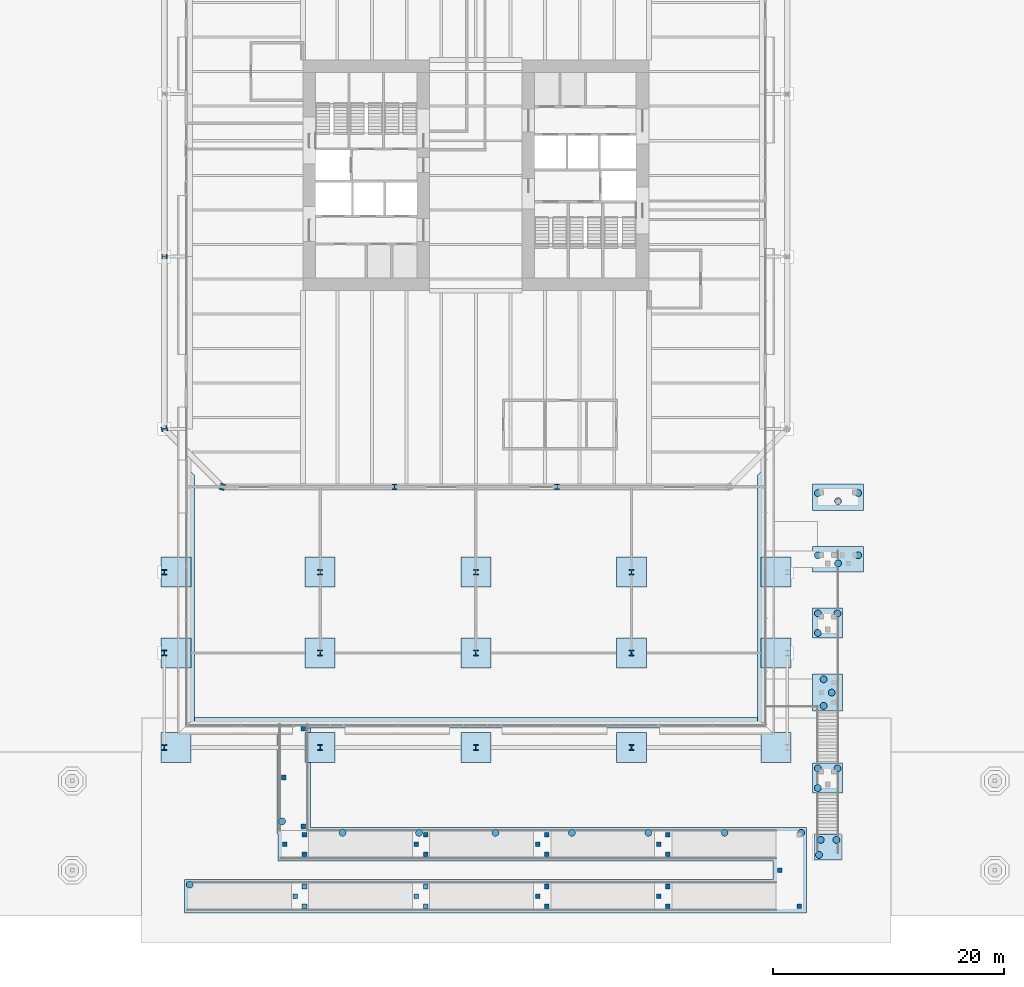
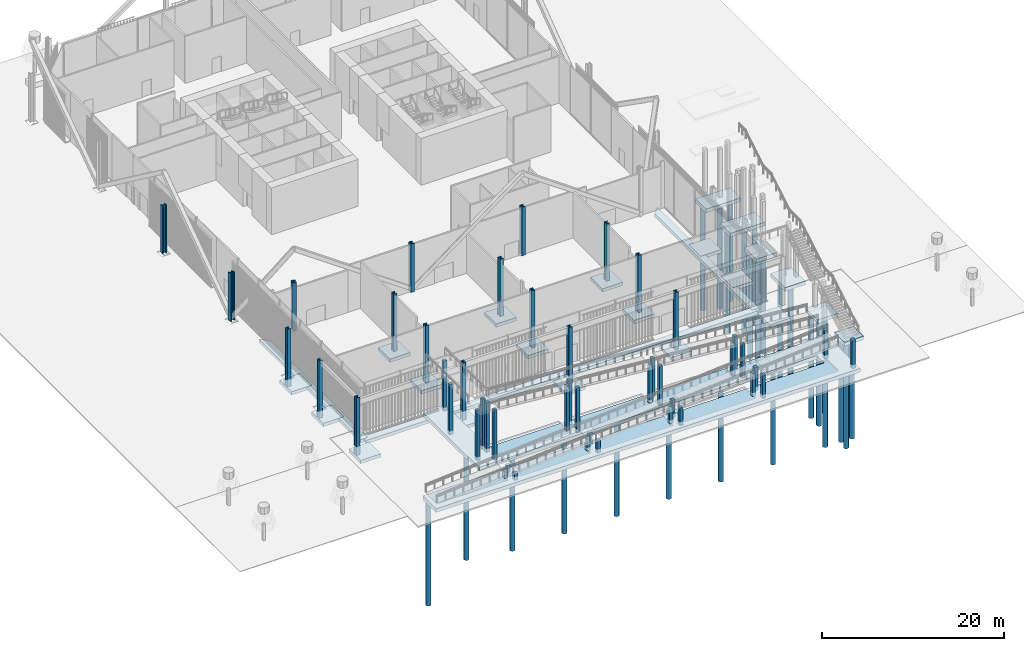
# One storey, part 1 of 28: 46 columns, 27 piles, 25 footings.
"""IFC4 building model written with IfcOpenShell, lengths in metres."""

from ifc_helpers import new_model, si_unit, direction, frame, origin, origin_2d, place, context, subcontext, project, spatial, polyline, rectangle, circle, i_section, outline, extrude, material, layer, layer_set, material_profile, profile_set, type_object, element, save


model = new_model("IFC4")

# Units and contexts
model_context = context("Model", 3, precision=1e-05, world=origin(), true_north=direction((0.0, 1.0)))
body_context = subcontext(model_context, "Body", "Model", "MODEL_VIEW")
ifc_project = project(units=[si_unit("LENGTHUNIT", "METRE"), si_unit("AREAUNIT", "SQUARE_METRE"), si_unit("VOLUMEUNIT", "CUBIC_METRE"), si_unit("PLANEANGLEUNIT", "RADIAN"), si_unit("MASSUNIT", "GRAM", prefix="KILO")], contexts=[model_context])

# Site, building, storey
site_placement = place(None, origin())
site = spatial("IfcSite", under=ifc_project, at=site_placement, CompositionType="ELEMENT")
building_placement = place(site_placement, origin())
building = spatial("IfcBuilding", under=site, at=building_placement, Name="Millrace Tower", CompositionType="ELEMENT")
storey_placement = place(building_placement, origin())
storey = spatial("IfcBuildingStorey", under=building, at=storey_placement, Name="L01", CompositionType="ELEMENT", Elevation=0.0)

# Piles
ifc_material_1 = material(Name="Concrete C45", Category="concrete")
ifc_material_profile_1 = material_profile(ifc_material_1, circle(Radius=0.300048828125, at=origin_2d()))
ifc_profile_set_1 = profile_set([ifc_material_profile_1], Name="Concrete C45")
pile_type = type_object("IfcPileType", Name="Bored pile 600", PredefinedType="BORED", material=ifc_profile_set_1)
for number, where, z_axis, x_axis, name in (
    (1, (-24.800048828125, -61.5, -1.0), (0.0, 0.0, -1.0), (1.0, 0.0, 0.0), "Site bored pile RAMP-1 1"),
    (2, (-16.800048828125, -56.0, -1.0), (0.0, 0.0, -1.0), (1.0, 0.0, 0.0), "Site bored pile RAMP-1 2"),
    (3, (-11.550048828125, -57.0, -1.0), (0.0, 0.0, -1.0), (1.0, 0.0, 0.0), "Site bored pile RAMP-1 3"),
    (4, (-4.925048828125, -57.0, -1.0), (0.0, 0.0, -1.0), (1.0, 0.0, 0.0), "Site bored pile RAMP-1 4"),
    (5, (1.699951171875, -57.0, -1.0), (0.0, 0.0, -1.0), (1.0, 0.0, 0.0), "Site bored pile RAMP-1 5"),
    (6, (8.324951171875, -57.0, -1.0), (0.0, 0.0, -1.0), (1.0, 0.0, 0.0), "Site bored pile RAMP-1 6"),
    (7, (14.949951171875, -57.0, -1.0), (0.0, 0.0, -1.0), (1.0, 0.0, 0.0), "Site bored pile RAMP-1 7"),
    (8, (21.574951171875, -57.0, -1.0), (0.0, 0.0, -1.0), (1.0, 0.0, 0.0), "Site bored pile RAMP-1 8"),
    (9, (28.199951171875, -57.0, -1.0), (0.0, 0.0, -1.0), (1.0, 0.0, 0.0), "Site bored pile RAMP-1 9"),
    (10, (29.75, -58.909912109375, -0.5400390625), (0.0, 0.0, -1.0), (1.0, 0.0, 0.0), "Site bored pile STAIR-FOOT-A 1"),
    (11, (29.89990234375, -57.610107421875, -0.5400390625), (0.0, 0.0, -1.0), (1.0, 0.0, 0.0), "Site bored pile STAIR-FOOT-A 2"),
    (12, (31.25, -57.610107421875, -0.5400390625), (0.0, 0.0, -1.0), (1.0, 0.0, 0.0), "Site bored pile STAIR-FOOT-A 3"),
    (13, (29.64990234375, -53.110107421875, -1.0), (0.0, 0.0, -1.0), (1.0, 0.0, 0.0), "Site bored pile STAIR-1 1"),
    (14, (29.64990234375, -51.409912109375, -1.0), (0.0, 0.0, -1.0), (1.0, 0.0, 0.0), "Site bored pile STAIR-1 2"),
    (15, (31.35009765625, -51.409912109375, -1.0), (0.0, 0.0, -1.0), (1.0, 0.0, 0.0), "Site bored pile STAIR-1 3"),
    (16, (30.14990234375, -45.989990234375, -1.0), (0.0, 0.0, -1.0), (1.0, 0.0, 0.0), "Site bored pile STAIR-2 1"),
    (17, (30.85009765625, -44.840087890625, -1.0), (0.0, 0.0, -1.0), (1.0, 0.0, 0.0), "Site bored pile STAIR-2 2"),
    (18, (30.14990234375, -43.68994140625, -1.0), (0.0, 0.0, -1.0), (1.0, 0.0, 0.0), "Site bored pile STAIR-2 3"),
    (19, (29.64990234375, -39.669921875, -1.0), (0.0, 0.0, -1.0), (1.0, 0.0, 0.0), "Site bored pile STAIR-3 1"),
    (20, (29.64990234375, -37.969970703125, -1.0), (0.0, 0.0, -1.0), (1.0, 0.0, 0.0), "Site bored pile STAIR-3 2"),
    (21, (31.35009765625, -37.969970703125, -1.0), (0.0, 0.0, -1.0), (1.0, 0.0, 0.0), "Site bored pile STAIR-3 3"),
    (22, (29.64990234375, -32.929931640625, -1.0), (0.0, 0.0, -1.0), (1.0, 0.0, 0.0), "Site bored pile STAIR-4 1"),
    (23, (31.39990234375, -33.6298828125, -1.0), (0.0, 0.0, -1.0), (1.0, 0.0, 0.0), "Site bored pile STAIR-4 2"),
    (24, (33.14990234375, -32.929931640625, -1.0), (0.0, 0.0, -1.0), (1.0, 0.0, 0.0), "Site bored pile STAIR-4 3"),
    (25, (29.64990234375, -27.5400390625, -1.0), (0.0, 0.0, -1.0), (1.0, 0.0, 0.0), "Site bored pile STAIR-5 1"),
    (26, (31.39990234375, -28.239990234375, -1.0), (0.0, 0.0, -1.0), (1.0, 0.0, 0.0), "Site bored pile STAIR-5 2"),
    (27, (33.14990234375, -27.5400390625, -1.0), (0.0, 0.0, -1.0), (1.0, 0.0, 0.0), "Site bored pile STAIR-5 3"),
):
    element("IfcPile", number, at=place(storey_placement, frame(where, z_axis=z_axis, x_axis=x_axis)), inside=storey, type_object=pile_type, Name=name, PredefinedType="BORED", context=body_context, shape_type="SweptSolid", body=[
        extrude(circle(Radius=0.300048828125, at=origin_2d()), origin(), (0.0, 0.0, 1.0), 14.0),
    ])

# Footings
ifc_material_2 = material(Name="Concrete C45", Category="concrete")
ifc_layer_1 = layer(ifc_material_2, 0.5)
ifc_layer_set_1 = layer_set([ifc_layer_1], Name="Concrete C45")
footing_type_1 = type_object("IfcFootingType", Name="Public stair pier footing 500 mm", PredefinedType="PAD_FOOTING", material=ifc_layer_set_1)
footing_1_placement = place(storey_placement, frame((0.0, 0.0, -0.5400390625)))
element("IfcFooting", 28, at=footing_1_placement, inside=storey, type_object=footing_type_1, Name="Public stair foot footing PS-A", PredefinedType="PAD_FOOTING", context=body_context, shape_type="SweptSolid", body=[
    extrude(outline(polyline([(31.699951171875, -59.360107421875), (31.699951171875, -57.159912109375), (29.300048828125, -57.159912109375), (29.300048828125, -59.360107421875), (31.699951171875, -59.360107421875)])), origin(), (0.0, 0.0, 1.0), 0.5),
])
placement_1 = place(storey_placement, frame((0.0, 0.0, -1.0)))
element("IfcFooting", 29, at=placement_1, inside=storey, type_object=footing_type_1, Name="Public stair pier footing 1", PredefinedType="PAD_FOOTING", context=body_context, shape_type="SweptSolid", body=[
    extrude(outline(polyline([(29.199951171875, -50.9599609375), (31.800048828125, -50.9599609375), (31.800048828125, -53.56005859375), (29.199951171875, -53.56005859375), (29.199951171875, -50.9599609375)])), origin(), (0.0, 0.0, 1.0), 0.5),
])
element("IfcFooting", 30, at=placement_1, inside=storey, type_object=footing_type_1, Name="Public stair pier footing 2", PredefinedType="PAD_FOOTING", context=body_context, shape_type="SweptSolid", body=[
    extrude(outline(polyline([(31.800048828125, -43.239990234375), (31.800048828125, -46.43994140625), (29.199951171875, -46.43994140625), (29.199951171875, -43.239990234375), (31.800048828125, -43.239990234375)])), origin(), (0.0, 0.0, 1.0), 0.5),
])
element("IfcFooting", 31, at=placement_1, inside=storey, type_object=footing_type_1, Name="Public stair pier footing 3", PredefinedType="PAD_FOOTING", context=body_context, shape_type="SweptSolid", body=[
    extrude(outline(polyline([(31.800048828125, -37.52001953125), (31.800048828125, -40.1201171875), (29.199951171875, -40.1201171875), (29.199951171875, -37.52001953125), (31.800048828125, -37.52001953125)])), origin(), (0.0, 0.0, 1.0), 0.5),
])
element("IfcFooting", 32, at=placement_1, inside=storey, type_object=footing_type_1, Name="Public stair pier footing 4", PredefinedType="PAD_FOOTING", context=body_context, shape_type="SweptSolid", body=[
    extrude(outline(polyline([(33.60009765625, -32.159912109375), (33.60009765625, -34.39990234375), (31.800048828125, -34.39990234375), (31.0, -34.39990234375), (29.199951171875, -34.39990234375), (29.199951171875, -32.159912109375), (31.0, -32.159912109375), (31.800048828125, -32.159912109375), (33.60009765625, -32.159912109375)])), origin(), (0.0, 0.0, 1.0), 0.5),
])
element("IfcFooting", 33, at=placement_1, inside=storey, type_object=footing_type_1, Name="Public stair pier footing 5", PredefinedType="PAD_FOOTING", context=body_context, shape_type="SweptSolid", body=[
    extrude(outline(polyline([(33.60009765625, -26.739990234375), (33.60009765625, -29.0400390625), (29.199951171875, -29.0400390625), (29.199951171875, -26.739990234375), (33.60009765625, -26.739990234375)])), origin(), (0.0, 0.0, 1.0), 0.5),
])
ifc_material_3 = material(Name="Concrete C45", Category="concrete")
ifc_layer_2 = layer(ifc_material_3, 0.5)
ifc_layer_set_2 = layer_set([ifc_layer_2], Name="Concrete C45")
footing_type_2 = type_object("IfcFootingType", Name="Ramp and court strip footing 500 mm", PredefinedType="STRIP_FOOTING", material=ifc_layer_set_2)
element("IfcFooting", 34, at=placement_1, inside=storey, type_object=footing_type_2, Name="Garden ramp strip footing 1", PredefinedType="STRIP_FOOTING", context=body_context, shape_type="SweptSolid", body=[
    extrude(outline(polyline([(-16.25, -61.050048828125), (-15.75, -61.050048828125), (-14.75, -61.050048828125), (-14.25, -61.050048828125), (-5.75, -61.050048828125), (-5.25, -61.050048828125), (-4.25, -61.050048828125), (-3.75, -61.050048828125), (4.75, -61.050048828125), (5.25, -61.050048828125), (6.25, -61.050048828125), (6.75, -61.050048828125), (15.25, -61.050048828125), (15.75, -61.050048828125), (16.75, -61.050048828125), (17.25, -61.050048828125), (25.75, -61.050048828125), (25.75, -59.449951171875), (17.25, -59.449951171875), (16.75, -59.449951171875), (15.75, -59.449951171875), (15.25, -59.449951171875), (6.75, -59.449951171875), (6.25, -59.449951171875), (5.25, -59.449951171875), (4.75, -59.449951171875), (-3.75, -59.449951171875), (-4.25, -59.449951171875), (-5.25, -59.449951171875), (-5.75, -59.449951171875), (-14.25, -59.449951171875), (-14.75, -59.449951171875), (-17.14990234375, -59.449951171875), (-17.14990234375, -57.050048828125), (-17.25, -57.050048828125), (-17.25, -47.35009765625), (-14.35009765625, -47.35009765625), (-14.35009765625, -56.550048828125), (-14.25, -56.550048828125), (-5.75, -56.550048828125), (-5.25, -56.550048828125), (-4.25, -56.550048828125), (-3.75, -56.550048828125), (4.75, -56.550048828125), (5.25, -56.550048828125), (6.25, -56.550048828125), (6.75, -56.550048828125), (15.25, -56.550048828125), (15.75, -56.550048828125), (16.75, -56.550048828125), (17.25, -56.550048828125), (25.75, -56.550048828125), (26.25, -56.550048828125), (28.64990234375, -56.550048828125), (28.64990234375, -63.949951171875), (26.25, -63.949951171875), (25.75, -63.949951171875), (17.25, -63.949951171875), (16.75, -63.949951171875), (15.75, -63.949951171875), (15.25, -63.949951171875), (6.75, -63.949951171875), (6.25, -63.949951171875), (5.25, -63.949951171875), (4.75, -63.949951171875), (-3.75, -63.949951171875), (-4.25, -63.949951171875), (-5.25, -63.949951171875), (-5.75, -63.949951171875), (-14.25, -63.949951171875), (-14.75, -63.949951171875), (-15.75, -63.949951171875), (-16.25, -63.949951171875), (-25.25, -63.949951171875), (-25.25, -61.050048828125), (-16.25, -61.050048828125)])), origin(), (0.0, 0.0, 1.0), 0.5),
])
ifc_material_4 = material(Name="Concrete C35", Category="concrete")
ifc_layer_3 = layer(ifc_material_4, 0.449951171875)
ifc_layer_set_3 = layer_set([ifc_layer_3], Name="Concrete C35")
footing_type_3 = type_object("IfcFootingType", Name="Wing pad footing 450 mm", PredefinedType="PAD_FOOTING", material=ifc_layer_set_3)
placement_2 = place(storey_placement, frame((0.0, 0.0, -1.64990234375)))
element("IfcFooting", 35, at=placement_2, inside=storey, type_object=footing_type_3, Name="FT-AW1-L01-X03", PredefinedType="PAD_FOOTING", context=body_context, shape_type="SweptSolid", body=[
    extrude(outline(polyline([(-27.300048828125, -50.89990234375), (-27.300048828125, -48.300048828125), (-24.699951171875, -48.300048828125), (-24.699951171875, -50.89990234375), (-27.300048828125, -50.89990234375)])), origin(), (0.0, 0.0, 1.0), 0.449951171875),
])
element("IfcFooting", 36, at=placement_2, inside=storey, type_object=footing_type_3, Name="FT-AW2-L01-X02", PredefinedType="PAD_FOOTING", context=body_context, shape_type="SweptSolid", body=[
    extrude(outline(polyline([(-27.300048828125, -42.699951171875), (-27.300048828125, -40.10009765625), (-24.699951171875, -40.10009765625), (-24.699951171875, -42.699951171875), (-27.300048828125, -42.699951171875)])), origin(), (0.0, 0.0, 1.0), 0.449951171875),
])
element("IfcFooting", 37, at=placement_2, inside=storey, type_object=footing_type_3, Name="FT-AW3-L01-X01", PredefinedType="PAD_FOOTING", context=body_context, shape_type="SweptSolid", body=[
    extrude(outline(polyline([(-27.300048828125, -35.699951171875), (-27.300048828125, -33.10009765625), (-24.699951171875, -33.10009765625), (-24.699951171875, -35.699951171875), (-27.300048828125, -35.699951171875)])), origin(), (0.0, 0.0, 1.0), 0.449951171875),
])
element("IfcFooting", 38, at=placement_2, inside=storey, type_object=footing_type_3, Name="FT-AW1-L01-X04", PredefinedType="PAD_FOOTING", context=body_context, shape_type="SweptSolid", body=[
    extrude(outline(polyline([(-14.800048828125, -50.89990234375), (-14.800048828125, -48.300048828125), (-12.199951171875, -48.300048828125), (-12.199951171875, -50.89990234375), (-14.800048828125, -50.89990234375)])), origin(), (0.0, 0.0, 1.0), 0.449951171875),
])
element("IfcFooting", 39, at=placement_2, inside=storey, type_object=footing_type_3, Name="FT-AW2-L01-X03", PredefinedType="PAD_FOOTING", context=body_context, shape_type="SweptSolid", body=[
    extrude(outline(polyline([(-14.800048828125, -42.699951171875), (-14.800048828125, -40.10009765625), (-12.199951171875, -40.10009765625), (-12.199951171875, -42.699951171875), (-14.800048828125, -42.699951171875)])), origin(), (0.0, 0.0, 1.0), 0.449951171875),
])
element("IfcFooting", 40, at=placement_2, inside=storey, type_object=footing_type_3, Name="FT-AW3-L01-X02", PredefinedType="PAD_FOOTING", context=body_context, shape_type="SweptSolid", body=[
    extrude(outline(polyline([(-14.800048828125, -35.699951171875), (-14.800048828125, -33.10009765625), (-12.199951171875, -33.10009765625), (-12.199951171875, -35.699951171875), (-14.800048828125, -35.699951171875)])), origin(), (0.0, 0.0, 1.0), 0.449951171875),
])
element("IfcFooting", 41, at=placement_2, inside=storey, type_object=footing_type_3, Name="FT-AW1-L01-X05", PredefinedType="PAD_FOOTING", context=body_context, shape_type="SweptSolid", body=[
    extrude(outline(polyline([(-1.300048828125, -50.89990234375), (-1.300048828125, -48.300048828125), (1.300048828125, -48.300048828125), (1.300048828125, -50.89990234375), (-1.300048828125, -50.89990234375)])), origin(), (0.0, 0.0, 1.0), 0.449951171875),
])
element("IfcFooting", 42, at=placement_2, inside=storey, type_object=footing_type_3, Name="FT-AW2-L01-X04", PredefinedType="PAD_FOOTING", context=body_context, shape_type="SweptSolid", body=[
    extrude(outline(polyline([(-1.300048828125, -42.699951171875), (-1.300048828125, -40.10009765625), (1.300048828125, -40.10009765625), (1.300048828125, -42.699951171875), (-1.300048828125, -42.699951171875)])), origin(), (0.0, 0.0, 1.0), 0.449951171875),
])
element("IfcFooting", 43, at=placement_2, inside=storey, type_object=footing_type_3, Name="FT-AW3-L01-X03", PredefinedType="PAD_FOOTING", context=body_context, shape_type="SweptSolid", body=[
    extrude(outline(polyline([(-1.300048828125, -35.699951171875), (-1.300048828125, -33.10009765625), (1.300048828125, -33.10009765625), (1.300048828125, -35.699951171875), (-1.300048828125, -35.699951171875)])), origin(), (0.0, 0.0, 1.0), 0.449951171875),
])
element("IfcFooting", 44, at=placement_2, inside=storey, type_object=footing_type_3, Name="FT-AW1-L01-X06", PredefinedType="PAD_FOOTING", context=body_context, shape_type="SweptSolid", body=[
    extrude(outline(polyline([(12.199951171875, -50.89990234375), (12.199951171875, -48.300048828125), (14.800048828125, -48.300048828125), (14.800048828125, -50.89990234375), (12.199951171875, -50.89990234375)])), origin(), (0.0, 0.0, 1.0), 0.449951171875),
])
element("IfcFooting", 45, at=placement_2, inside=storey, type_object=footing_type_3, Name="FT-AW2-L01-X05", PredefinedType="PAD_FOOTING", context=body_context, shape_type="SweptSolid", body=[
    extrude(outline(polyline([(12.199951171875, -42.699951171875), (12.199951171875, -40.10009765625), (14.800048828125, -40.10009765625), (14.800048828125, -42.699951171875), (12.199951171875, -42.699951171875)])), origin(), (0.0, 0.0, 1.0), 0.449951171875),
])
element("IfcFooting", 46, at=placement_2, inside=storey, type_object=footing_type_3, Name="FT-AW3-L01-X04", PredefinedType="PAD_FOOTING", context=body_context, shape_type="SweptSolid", body=[
    extrude(outline(polyline([(12.199951171875, -35.699951171875), (12.199951171875, -33.10009765625), (14.800048828125, -33.10009765625), (14.800048828125, -35.699951171875), (12.199951171875, -35.699951171875)])), origin(), (0.0, 0.0, 1.0), 0.449951171875),
])
element("IfcFooting", 47, at=placement_2, inside=storey, type_object=footing_type_3, Name="FT-AW1-L01-X07", PredefinedType="PAD_FOOTING", context=body_context, shape_type="SweptSolid", body=[
    extrude(outline(polyline([(24.699951171875, -50.89990234375), (24.699951171875, -48.300048828125), (27.300048828125, -48.300048828125), (27.300048828125, -50.89990234375), (24.699951171875, -50.89990234375)])), origin(), (0.0, 0.0, 1.0), 0.449951171875),
])
element("IfcFooting", 48, at=placement_2, inside=storey, type_object=footing_type_3, Name="FT-AW2-L01-X06", PredefinedType="PAD_FOOTING", context=body_context, shape_type="SweptSolid", body=[
    extrude(outline(polyline([(24.699951171875, -42.699951171875), (24.699951171875, -40.10009765625), (27.300048828125, -40.10009765625), (27.300048828125, -42.699951171875), (24.699951171875, -42.699951171875)])), origin(), (0.0, 0.0, 1.0), 0.449951171875),
])
element("IfcFooting", 49, at=placement_2, inside=storey, type_object=footing_type_3, Name="FT-AW3-L01-X05", PredefinedType="PAD_FOOTING", context=body_context, shape_type="SweptSolid", body=[
    extrude(outline(polyline([(24.699951171875, -35.699951171875), (24.699951171875, -33.10009765625), (27.300048828125, -33.10009765625), (27.300048828125, -35.699951171875), (24.699951171875, -35.699951171875)])), origin(), (0.0, 0.0, 1.0), 0.449951171875),
])
ifc_material_5 = material(Name="Concrete C35", Category="concrete")
ifc_layer_4 = layer(ifc_material_5, 0.449951171875)
ifc_layer_set_4 = layer_set([ifc_layer_4], Name="Concrete C35")
footing_type_4 = type_object("IfcFootingType", Name="Wing strip footing 450 mm", PredefinedType="STRIP_FOOTING", material=ifc_layer_set_4)
element("IfcFooting", 50, at=placement_2, inside=storey, type_object=footing_type_4, Name="FT-A-L01-XS4", PredefinedType="STRIP_FOOTING", context=body_context, shape_type="SweptSolid", body=[
    extrude(outline(polyline([(-25.300048828125, -47.449951171875), (-25.300048828125, -42.699951171875), (-24.699951171875, -42.699951171875), (-24.699951171875, -40.10009765625), (-25.300048828125, -40.10009765625), (-25.300048828125, -35.699951171875), (-24.699951171875, -35.699951171875), (-24.699951171875, -33.10009765625), (-25.300048828125, -33.10009765625), (-25.300048828125, -25.092529296875), (-24.39990234375, -25.99267578125), (-24.39990234375, -47.449951171875), (-25.300048828125, -47.449951171875)])), origin(), (0.0, 0.0, 1.0), 0.449951171875),
])
element("IfcFooting", 51, at=placement_2, inside=storey, type_object=footing_type_4, Name="FT-A-L01-XS5", PredefinedType="STRIP_FOOTING", context=body_context, shape_type="SweptSolid", body=[
    extrude(outline(polyline([(24.39990234375, -47.0), (24.39990234375, -47.449951171875), (24.85009765625, -47.449951171875), (24.85009765625, -47.89990234375), (-24.85009765625, -47.89990234375), (-24.85009765625, -47.449951171875), (-24.39990234375, -47.449951171875), (-24.39990234375, -47.0), (24.39990234375, -47.0)])), origin(), (0.0, 0.0, 1.0), 0.449951171875),
])
element("IfcFooting", 52, at=placement_2, inside=storey, type_object=footing_type_4, Name="FT-A-L01-XS15", PredefinedType="STRIP_FOOTING", context=body_context, shape_type="SweptSolid", body=[
    extrude(outline(polyline([(24.39990234375, -25.99267578125), (25.300048828125, -25.092529296875), (25.300048828125, -33.10009765625), (24.699951171875, -33.10009765625), (24.699951171875, -35.699951171875), (25.300048828125, -35.699951171875), (25.300048828125, -40.10009765625), (24.699951171875, -40.10009765625), (24.699951171875, -42.699951171875), (25.300048828125, -42.699951171875), (25.300048828125, -47.449951171875), (24.39990234375, -47.449951171875), (24.39990234375, -25.99267578125)])), origin(), (0.0, 0.0, 1.0), 0.449951171875),
])

# Columns
ifc_material_6 = material(Name="Steel ASTM A913 Grade 65", Category="steel")
ifc_material_profile_2 = material_profile(ifc_material_6, i_section(OverallWidth=0.44189453125, OverallDepth=0.53076171875, WebThickness=0.06591796875, FlangeThickness=0.105712890625, FilletRadius=0.01513671875, at=origin_2d()))
ifc_profile_set_2 = profile_set([ifc_material_profile_2], Name="Steel ASTM A913 Grade 65")
column_type_1 = type_object("IfcColumnType", Name="Exoskeleton column W14x605", PredefinedType="COLUMN", material=ifc_profile_set_2)
for number, where, z_axis, x_axis, name in (
    (53, (-7.050048828125, -27.0, 0.0), (0.0, 0.0, 1.0), (1.0, 0.0, 0.0), "COL-A-L01-X03"),
    (54, (7.050048828125, -27.0, 0.0), (0.0, 0.0, 1.0), (1.0, 0.0, 0.0), "COL-A-L01-X04"),
    (55, (-27.0, -7.050048828125, 0.0), (0.0, 0.0, 1.0), (0.0, -1.0, 0.0), "COL-A-L01-X16"),
):
    element("IfcColumn", number, at=place(storey_placement, frame(where, z_axis=z_axis, x_axis=x_axis)), inside=storey, type_object=column_type_1, Name=name, PredefinedType="COLUMN", context=body_context, shape_type="SweptSolid", body=[
        extrude(i_section(OverallWidth=0.44189453125, OverallDepth=0.53076171875, WebThickness=0.06591796875, FlangeThickness=0.105712890625, FilletRadius=0.01513671875, at=origin_2d()), origin(), (0.0, 0.0, 1.0), 6.5),
    ])
ifc_material_7 = material(Name="Steel ASTM A913 Grade 65", Category="steel")
ifc_material_profile_3 = material_profile(ifc_material_7, i_section(OverallWidth=0.45458984375, OverallDepth=0.56884765625, WebThickness=0.077880859375, FlangeThickness=0.124755859375, FilletRadius=0.01513671875, at=origin_2d()))
ifc_profile_set_3 = profile_set([ifc_material_profile_3], Name="Steel ASTM A913 Grade 65")
column_type_2 = type_object("IfcColumnType", Name="Exoskeleton column W14x730", PredefinedType="COLUMN", material=ifc_profile_set_3)
for number, where, z_axis, x_axis, name in (
    (56, (-27.0, -21.978515625, 0.0), (0.0, 0.0, 1.0), (0.244094142872, -0.969751540043, 0.0), "COL-A-L01-X01"),
    (57, (-21.978515625, -27.0, 0.0), (0.0, 0.0, 1.0), (0.969751540043, -0.244094142872, 0.0), "COL-A-L01-X02"),
):
    element("IfcColumn", number, at=place(storey_placement, frame(where, z_axis=z_axis, x_axis=x_axis)), inside=storey, type_object=column_type_2, Name=name, PredefinedType="COLUMN", context=body_context, shape_type="SweptSolid", body=[
        extrude(i_section(OverallWidth=0.45458984375, OverallDepth=0.56884765625, WebThickness=0.077880859375, FlangeThickness=0.124755859375, FilletRadius=0.01513671875, at=origin_2d()), origin(), (0.0, 0.0, 1.0), 6.5),
    ])
ifc_material_8 = material(Name="Concrete C45", Category="concrete")
ifc_material_profile_4 = material_profile(ifc_material_8, rectangle(XDim=0.39990234375, YDim=0.39990234375, at=origin_2d()))
ifc_profile_set_4 = profile_set([ifc_material_profile_4], Name="Concrete C45")
column_type_3 = type_object("IfcColumnType", Name="Landing pier column 400", PredefinedType="COLUMN", material=ifc_profile_set_4)
for number, where, z_axis, x_axis, name in (
    (58, (-14.85009765625, -63.35009765625, -0.5), (0.0, 0.0, 1.0), (1.0, 0.0, 0.0), "Landing pier column RL-01 1"),
    (59, (-15.64990234375, -62.5, -0.5), (0.0, 0.0, 1.0), (1.0, 0.0, 0.0), "Landing pier column RL-01 2"),
    (60, (-14.85009765625, -61.64990234375, -0.5), (0.0, 0.0, 1.0), (1.0, 0.0, 0.0), "Landing pier column RL-01 3"),
):
    element("IfcColumn", number, at=place(storey_placement, frame(where, z_axis=z_axis, x_axis=x_axis)), inside=storey, type_object=column_type_3, Name=name, PredefinedType="COLUMN", context=body_context, shape_type="SweptSolid", body=[
        extrude(rectangle(XDim=0.39990234375, YDim=0.39990234375, at=origin_2d()), origin(), (0.0, 0.0, 1.0), 0.922119140625),
    ])
for number, where, z_axis, x_axis, name in (
    (61, (-4.35009765625, -63.35009765625, -0.5), (0.0, 0.0, 1.0), (1.0, 0.0, 0.0), "Landing pier column RL-02 1"),
    (62, (-5.14990234375, -62.5, -0.5), (0.0, 0.0, 1.0), (1.0, 0.0, 0.0), "Landing pier column RL-02 2"),
    (63, (-4.35009765625, -61.64990234375, -0.5), (0.0, 0.0, 1.0), (1.0, 0.0, 0.0), "Landing pier column RL-02 3"),
):
    element("IfcColumn", number, at=place(storey_placement, frame(where, z_axis=z_axis, x_axis=x_axis)), inside=storey, type_object=column_type_3, Name=name, PredefinedType="COLUMN", context=body_context, shape_type="SweptSolid", body=[
        extrude(rectangle(XDim=0.39990234375, YDim=0.39990234375, at=origin_2d()), origin(), (0.0, 0.0, 1.0), 1.64453125),
    ])
for number, where, z_axis, x_axis, name in (
    (64, (6.14990234375, -63.35009765625, -0.5), (0.0, 0.0, 1.0), (1.0, 0.0, 0.0), "Landing pier column RL-03 1"),
    (65, (5.35009765625, -62.5, -0.5), (0.0, 0.0, 1.0), (1.0, 0.0, 0.0), "Landing pier column RL-03 2"),
    (66, (6.14990234375, -61.64990234375, -0.5), (0.0, 0.0, 1.0), (1.0, 0.0, 0.0), "Landing pier column RL-03 3"),
):
    element("IfcColumn", number, at=place(storey_placement, frame(where, z_axis=z_axis, x_axis=x_axis)), inside=storey, type_object=column_type_3, Name=name, PredefinedType="COLUMN", context=body_context, shape_type="SweptSolid", body=[
        extrude(rectangle(XDim=0.39990234375, YDim=0.39990234375, at=origin_2d()), origin(), (0.0, 0.0, 1.0), 2.36669921875),
    ])
for number, where, z_axis, x_axis, name in (
    (67, (16.64990234375, -63.35009765625, -0.5), (0.0, 0.0, 1.0), (1.0, 0.0, 0.0), "Landing pier column RL-04 1"),
    (68, (15.85009765625, -62.5, -0.5), (0.0, 0.0, 1.0), (1.0, 0.0, 0.0), "Landing pier column RL-04 2"),
    (69, (16.64990234375, -61.64990234375, -0.5), (0.0, 0.0, 1.0), (1.0, 0.0, 0.0), "Landing pier column RL-04 3"),
):
    element("IfcColumn", number, at=place(storey_placement, frame(where, z_axis=z_axis, x_axis=x_axis)), inside=storey, type_object=column_type_3, Name=name, PredefinedType="COLUMN", context=body_context, shape_type="SweptSolid", body=[
        extrude(rectangle(XDim=0.39990234375, YDim=0.39990234375, at=origin_2d()), origin(), (0.0, 0.0, 1.0), 3.0888671875),
    ])
for number, where, z_axis, x_axis, name in (
    (70, (16.64990234375, -58.85009765625, -0.5), (0.0, 0.0, 1.0), (1.0, 0.0, 0.0), "Landing pier column RL-06 1"),
    (71, (15.85009765625, -58.0, -0.5), (0.0, 0.0, 1.0), (1.0, 0.0, 0.0), "Landing pier column RL-06 2"),
    (72, (16.64990234375, -57.14990234375, -0.5), (0.0, 0.0, 1.0), (1.0, 0.0, 0.0), "Landing pier column RL-06 3"),
):
    element("IfcColumn", number, at=place(storey_placement, frame(where, z_axis=z_axis, x_axis=x_axis)), inside=storey, type_object=column_type_3, Name=name, PredefinedType="COLUMN", context=body_context, shape_type="SweptSolid", body=[
        extrude(rectangle(XDim=0.39990234375, YDim=0.39990234375, at=origin_2d()), origin(), (0.0, 0.0, 1.0), 4.533447265625),
    ])
for number, where, z_axis, x_axis, name in (
    (73, (6.14990234375, -58.85009765625, -0.5), (0.0, 0.0, 1.0), (1.0, 0.0, 0.0), "Landing pier column RL-07 1"),
    (74, (5.35009765625, -58.0, -0.5), (0.0, 0.0, 1.0), (1.0, 0.0, 0.0), "Landing pier column RL-07 2"),
    (75, (6.14990234375, -57.14990234375, -0.5), (0.0, 0.0, 1.0), (1.0, 0.0, 0.0), "Landing pier column RL-07 3"),
):
    element("IfcColumn", number, at=place(storey_placement, frame(where, z_axis=z_axis, x_axis=x_axis)), inside=storey, type_object=column_type_3, Name=name, PredefinedType="COLUMN", context=body_context, shape_type="SweptSolid", body=[
        extrude(rectangle(XDim=0.39990234375, YDim=0.39990234375, at=origin_2d()), origin(), (0.0, 0.0, 1.0), 5.255615234375),
    ])
for number, where, z_axis, x_axis, name in (
    (76, (-4.35009765625, -58.85009765625, -0.5), (0.0, 0.0, 1.0), (1.0, 0.0, 0.0), "Landing pier column RL-08 1"),
    (77, (-5.14990234375, -58.0, -0.5), (0.0, 0.0, 1.0), (1.0, 0.0, 0.0), "Landing pier column RL-08 2"),
    (78, (-4.35009765625, -57.14990234375, -0.5), (0.0, 0.0, 1.0), (1.0, 0.0, 0.0), "Landing pier column RL-08 3"),
):
    element("IfcColumn", number, at=place(storey_placement, frame(where, z_axis=z_axis, x_axis=x_axis)), inside=storey, type_object=column_type_3, Name=name, PredefinedType="COLUMN", context=body_context, shape_type="SweptSolid", body=[
        extrude(rectangle(XDim=0.39990234375, YDim=0.39990234375, at=origin_2d()), origin(), (0.0, 0.0, 1.0), 5.977783203125),
    ])
for number, where, z_axis, x_axis, name in (
    (79, (-14.85009765625, -58.85009765625, -0.5), (0.0, 0.0, 1.0), (1.0, 0.0, 0.0), "Landing pier column RL-09 1"),
    (80, (-16.550048828125, -58.0, -0.5), (0.0, 0.0, 1.0), (1.0, 0.0, 0.0), "Landing pier column RL-09 2"),
    (81, (-14.85009765625, -57.14990234375, -0.5), (0.0, 0.0, 1.0), (1.0, 0.0, 0.0), "Landing pier column RL-09 3"),
):
    element("IfcColumn", number, at=place(storey_placement, frame(where, z_axis=z_axis, x_axis=x_axis)), inside=storey, type_object=column_type_3, Name=name, PredefinedType="COLUMN", context=body_context, shape_type="SweptSolid", body=[
        extrude(rectangle(XDim=0.39990234375, YDim=0.39990234375, at=origin_2d()), origin(), (0.0, 0.0, 1.0), 6.699951171875),
    ])
for number, where, z_axis, x_axis, name in (
    (82, (28.050048828125, -63.35009765625, -0.5), (0.0, 0.0, 1.0), (1.0, 0.0, 0.0), "Landing pier column RL-TURN 1"),
    (83, (26.35009765625, -60.25, -0.5), (0.0, 0.0, 1.0), (1.0, 0.0, 0.0), "Landing pier column RL-TURN 2"),
):
    element("IfcColumn", number, at=place(storey_placement, frame(where, z_axis=z_axis, x_axis=x_axis)), inside=storey, type_object=column_type_3, Name=name, PredefinedType="COLUMN", context=body_context, shape_type="SweptSolid", body=[
        extrude(rectangle(XDim=0.39990234375, YDim=0.39990234375, at=origin_2d()), origin(), (0.0, 0.0, 1.0), 3.81103515625),
    ])
for number, where, z_axis, x_axis, name in (
    (84, (-14.949951171875, -56.449951171875, -0.5), (0.0, 0.0, 1.0), (1.0, 0.0, 0.0), "Landing pier column RL-CAUSEWAY 1"),
    (85, (-16.64990234375, -52.199951171875, -0.5), (0.0, 0.0, 1.0), (1.0, 0.0, 0.0), "Landing pier column RL-CAUSEWAY 2"),
    (86, (-14.949951171875, -47.949951171875, -0.5), (0.0, 0.0, 1.0), (1.0, 0.0, 0.0), "Landing pier column RL-CAUSEWAY 3"),
):
    element("IfcColumn", number, at=place(storey_placement, frame(where, z_axis=z_axis, x_axis=x_axis)), inside=storey, type_object=column_type_3, Name=name, PredefinedType="COLUMN", context=body_context, shape_type="SweptSolid", body=[
        extrude(rectangle(XDim=0.39990234375, YDim=0.39990234375, at=origin_2d()), origin(), (0.0, 0.0, 1.0), 6.699951171875),
    ])
ifc_material_9 = material(Name="Steel ASTM A913 Grade 65", Category="steel")
ifc_material_profile_5 = material_profile(ifc_material_9, i_section(OverallWidth=0.431884765625, OverallDepth=0.497802734375, WebThickness=0.0556640625, FlangeThickness=0.0888671875, FilletRadius=0.01513671875, at=origin_2d()))
ifc_profile_set_5 = profile_set([ifc_material_profile_5], Name="Steel ASTM A913 Grade 65")
column_type_4 = type_object("IfcColumnType", Name="Wing column W14x500", PredefinedType="COLUMN", material=ifc_profile_set_5)
for number, where, z_axis, x_axis, name in (
    (87, (-27.0, -49.60009765625, -1.199951171875), (0.0, 0.0, 1.0), (1.0, 0.0, 0.0), "COL-AW1-L01-X03"),
    (88, (-13.5, -49.60009765625, -1.199951171875), (0.0, 0.0, 1.0), (1.0, 0.0, 0.0), "COL-AW1-L01-X04"),
    (89, (0.0, -49.60009765625, -1.199951171875), (0.0, 0.0, 1.0), (1.0, 0.0, 0.0), "COL-AW1-L01-X05"),
    (90, (13.5, -49.60009765625, -1.199951171875), (0.0, 0.0, 1.0), (1.0, 0.0, 0.0), "COL-AW1-L01-X06"),
    (91, (-27.0, -41.39990234375, -1.199951171875), (0.0, 0.0, 1.0), (1.0, 0.0, 0.0), "COL-AW2-L01-X02"),
    (92, (-13.5, -41.39990234375, -1.199951171875), (0.0, 0.0, 1.0), (1.0, 0.0, 0.0), "COL-AW2-L01-X03"),
    (93, (0.0, -41.39990234375, -1.199951171875), (0.0, 0.0, 1.0), (1.0, 0.0, 0.0), "COL-AW2-L01-X04"),
    (94, (13.5, -41.39990234375, -1.199951171875), (0.0, 0.0, 1.0), (1.0, 0.0, 0.0), "COL-AW2-L01-X05"),
    (95, (-27.0, -34.39990234375, -1.199951171875), (0.0, 0.0, 1.0), (1.0, 0.0, 0.0), "COL-AW3-L01-X01"),
    (96, (-13.5, -34.39990234375, -1.199951171875), (0.0, 0.0, 1.0), (1.0, 0.0, 0.0), "COL-AW3-L01-X02"),
    (97, (0.0, -34.39990234375, -1.199951171875), (0.0, 0.0, 1.0), (1.0, 0.0, 0.0), "COL-AW3-L01-X03"),
    (98, (13.5, -34.39990234375, -1.199951171875), (0.0, 0.0, 1.0), (1.0, 0.0, 0.0), "COL-AW3-L01-X04"),
):
    element("IfcColumn", number, at=place(storey_placement, frame(where, z_axis=z_axis, x_axis=x_axis)), inside=storey, type_object=column_type_4, Name=name, PredefinedType="COLUMN", context=body_context, shape_type="SweptSolid", body=[
        extrude(i_section(OverallWidth=0.431884765625, OverallDepth=0.497802734375, WebThickness=0.0556640625, FlangeThickness=0.0888671875, FilletRadius=0.01513671875, at=origin_2d()), origin(), (0.0, 0.0, 1.0), 7.699951171875),
    ])

save(model, "model.ifc")
